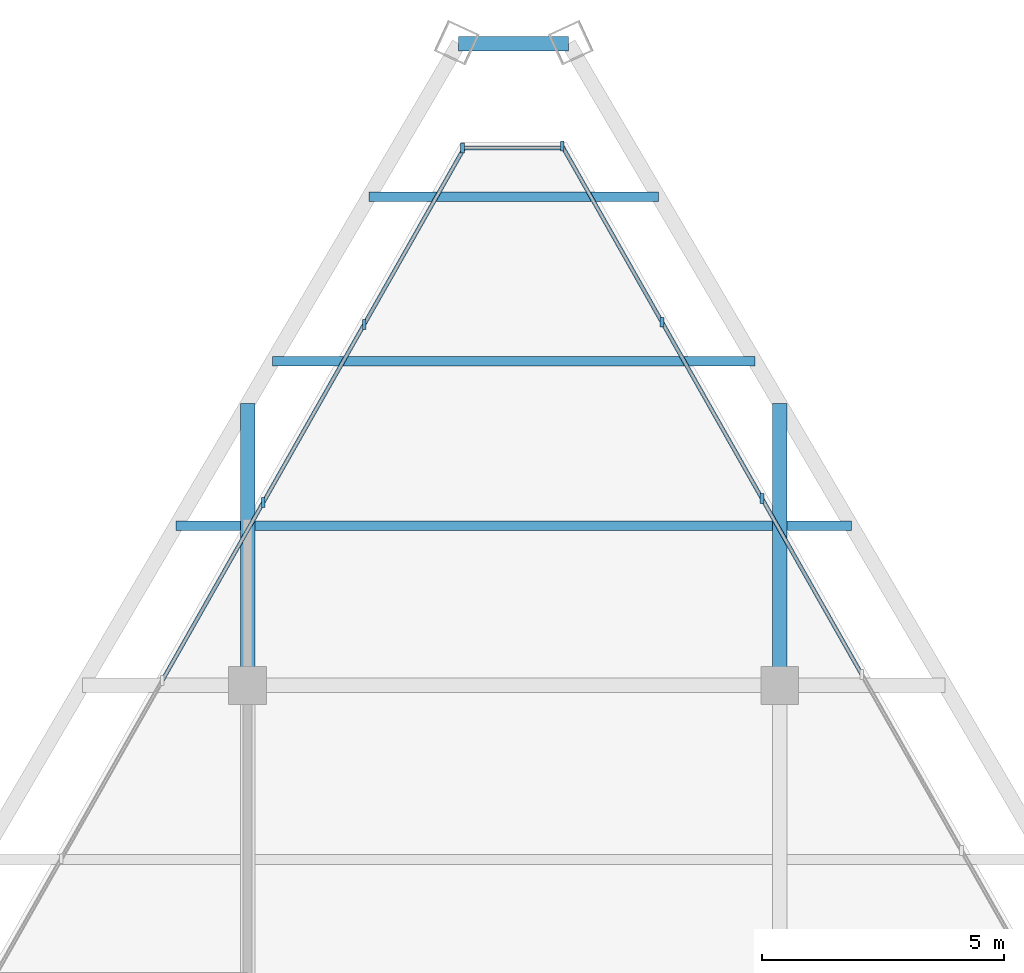
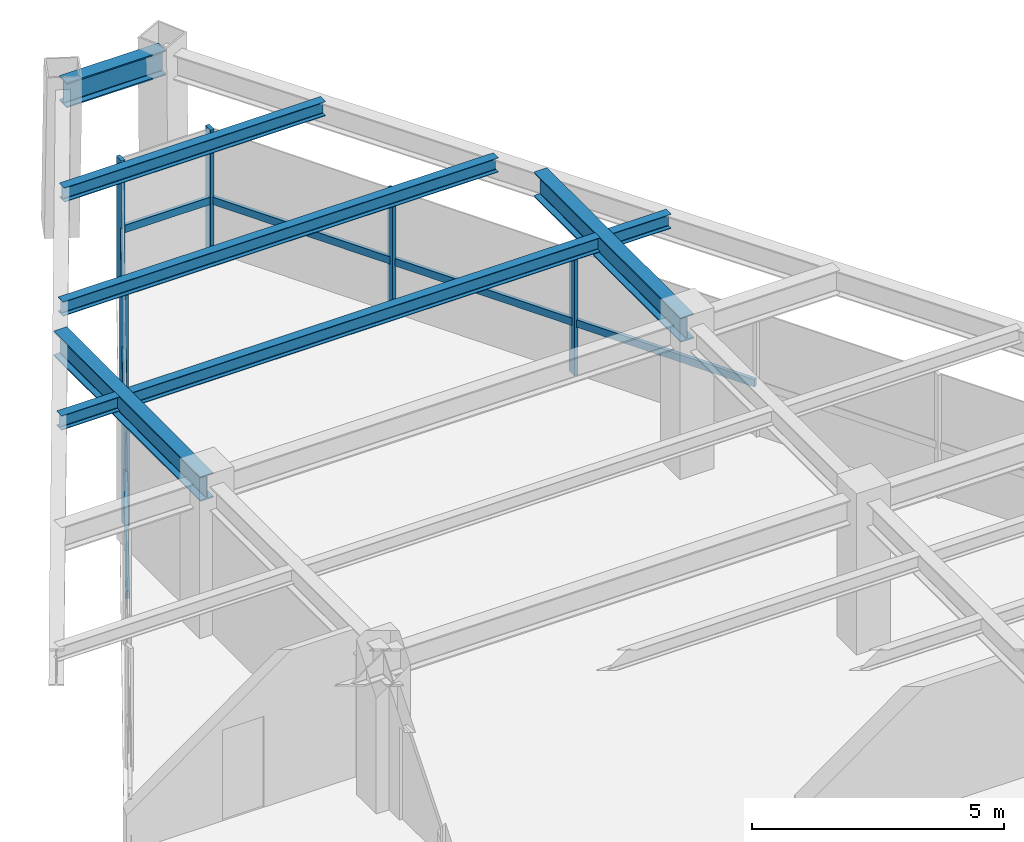
# One storey, part 8 of 12: 13 members, 8 beams, 3 elements without a shape of their own.
"""IFC4 building model written with IfcOpenShell, lengths in metres."""

from ifc_helpers import new_model, si_unit, direction, frame, origin, origin_2d, place, context, subcontext, project, spatial, rectangle, i_section, extrude, source, transform, mapped, material, material_profile, profile_set, type_object, type_shapes, element, aggregate, save


model = new_model("IFC4")

# Units and contexts
model_context = context("Model", 3, precision=1e-05, world=origin(), true_north=direction((0.0, 1.0)))
body_context = subcontext(model_context, "Body", "Model", "MODEL_VIEW")
ifc_project = project(units=[si_unit("LENGTHUNIT", "METRE"), si_unit("AREAUNIT", "SQUARE_METRE"), si_unit("VOLUMEUNIT", "CUBIC_METRE"), si_unit("PLANEANGLEUNIT", "RADIAN"), si_unit("MASSUNIT", "GRAM", prefix="KILO")], contexts=[model_context])

# Site, building, storey
site_placement = place(None, origin())
site = spatial("IfcSite", under=ifc_project, at=site_placement, CompositionType="ELEMENT")
building_placement = place(site_placement, origin())
building = spatial("IfcBuilding", under=site, at=building_placement, Name="Varnakhor Terracotta Tower", CompositionType="ELEMENT")
storey_placement = place(building_placement, frame((0.0, 0.0, 313.60009765625)))
storey = spatial("IfcBuildingStorey", under=building, at=storey_placement, Name="L82 Crown", CompositionType="ELEMENT", Elevation=313.60009765625)

# Beams
ifc_material_1 = material(Name="Steel S355", Category="steel")
ifc_material_profile_1 = material_profile(ifc_material_1, i_section(OverallWidth=0.202880859375, OverallDepth=0.346923828125, WebThickness=0.0078125, FlangeThickness=0.013427734375, FilletRadius=0.01806640625, at=origin_2d()), Name="W14X43")
ifc_profile_set_1 = profile_set([ifc_material_profile_1], Name="Steel S355")
beam_type_1 = type_object("IfcBeamType", Name="JST-W14X43", PredefinedType="JOIST", material=ifc_profile_set_1)
shared_shape_1 = source(origin(), body_context, "Body", "SweptSolid", [
    extrude(i_section(OverallWidth=0.202880859375, OverallDepth=0.346923828125, WebThickness=0.0078125, FlangeThickness=0.013427734375, FilletRadius=0.01806640625, at=origin_2d()), origin(), (0.0, 0.0, 1.0), 10.7080078125),
])
beam_1_placement = place(storey_placement, frame((-5.35400390625, 34.800048828125, 3.426513671875), z_axis=(1.0, 0.0, 0.0), x_axis=(0.0, 1.0, 0.0)))
element("IfcBeam", 1, at=beam_1_placement, inside=storey, type_object=beam_type_1, Name="L82 Crown Composite Floor Joist 7-2", PredefinedType="JOIST", context=body_context, shape_type="MappedRepresentation", body=[
    mapped(shared_shape_1, transform((0.0, 0.0, 0.0), scale=1.0)),
])
ifc_material_profile_2 = material_profile(ifc_material_1, i_section(OverallWidth=0.300048828125, OverallDepth=0.60009765625, WebThickness=0.015380859375, FlangeThickness=0.030029296875, FilletRadius=0.01806640625, at=origin_2d()), Name="HEB600")
ifc_profile_set_2 = profile_set([ifc_material_profile_2], Name="Steel S355")
beam_type_2 = type_object("IfcBeamType", Name="BM-HEB600", PredefinedType="BEAM", material=ifc_profile_set_2)
shared_shape_2 = source(origin(), body_context, "Body", "SweptSolid", [
    extrude(i_section(OverallWidth=0.300048828125, OverallDepth=0.60009765625, WebThickness=0.015380859375, FlangeThickness=0.030029296875, FilletRadius=0.01806640625, at=origin_2d()), origin(), (0.0, 0.0, 1.0), 2.27294921875),
])
beam_2_placement = place(storey_placement, frame((1.136474609375, 44.7646484375, 3.2998046875), z_axis=(-1.0, 0.0, 0.0), x_axis=(0.0, -1.0, 0.0)))
element("IfcBeam", 2, at=beam_2_placement, inside=storey, type_object=beam_type_2, Name="L82 Crown Perimeter Spandrel 5", PredefinedType="BEAM", context=body_context, shape_type="MappedRepresentation", body=[
    mapped(shared_shape_2, transform((0.0, 0.0, 0.0), scale=1.0)),
])
shared_shape_3 = source(origin(), body_context, "Body", "SweptSolid", [
    extrude(i_section(OverallWidth=0.300048828125, OverallDepth=0.60009765625, WebThickness=0.015380859375, FlangeThickness=0.030029296875, FilletRadius=0.01806640625, at=origin_2d()), origin(), (0.0, 0.0, 1.0), 5.822998046875),
])
for number, where, z_axis, x_axis, name in (
    (3, (-5.5, 31.5, 3.2998046875), (0.0, 1.0, 0.0), (-1.0, 0.0, 0.0), "L82 Crown Primary Girder NS3-W"),
    (4, (5.5, 31.5, 3.2998046875), (0.0, 1.0, 0.0), (-1.0, 0.0, 0.0), "L82 Crown Primary Girder NS3-E"),
):
    element("IfcBeam", number, at=place(storey_placement, frame(where, z_axis=z_axis, x_axis=x_axis)), inside=storey, type_object=beam_type_2, Name=name, PredefinedType="BEAM", context=body_context, shape_type="MappedRepresentation", body=[
        mapped(shared_shape_3, transform((0.0, 0.0, 0.0), scale=1.0)),
    ])
shared_shape_4 = source(origin(), body_context, "Body", "SweptSolid", [
    extrude(i_section(OverallWidth=0.202880859375, OverallDepth=0.346923828125, WebThickness=0.0078125, FlangeThickness=0.013427734375, FilletRadius=0.01806640625, at=origin_2d()), origin(), (0.0, 0.0, 1.0), 1.33349609375),
])
for number, where, z_axis, x_axis, name in (
    (5, (-6.9794921875, 34.800048828125, 3.426513671875), (1.0, 0.0, 0.0), (0.0, 1.0, 0.0), "L82 Crown Composite Floor Joist 7-1"),
    (6, (5.64599609375, 34.800048828125, 3.426513671875), (1.0, 0.0, 0.0), (0.0, 1.0, 0.0), "L82 Crown Composite Floor Joist 7-3"),
):
    element("IfcBeam", number, at=place(storey_placement, frame(where, z_axis=z_axis, x_axis=x_axis)), inside=storey, type_object=beam_type_1, Name=name, PredefinedType="JOIST", context=body_context, shape_type="MappedRepresentation", body=[
        mapped(shared_shape_4, transform((0.0, 0.0, 0.0), scale=1.0)),
    ])
shared_shape_5 = source(origin(), body_context, "Body", "SweptSolid", [
    extrude(i_section(OverallWidth=0.202880859375, OverallDepth=0.346923828125, WebThickness=0.0078125, FlangeThickness=0.013427734375, FilletRadius=0.01806640625, at=origin_2d()), origin(), (0.0, 0.0, 1.0), 9.971435546875),
])
beam_3_placement = place(storey_placement, frame((-4.985595703125, 38.199951171875, 3.426513671875), z_axis=(1.0, 0.0, 0.0), x_axis=(0.0, 1.0, 0.0)))
element("IfcBeam", 7, at=beam_3_placement, inside=storey, type_object=beam_type_1, Name="L82 Crown Composite Floor Joist 8-1", PredefinedType="JOIST", context=body_context, shape_type="MappedRepresentation", body=[
    mapped(shared_shape_5, transform((0.0, 0.0, 0.0), scale=1.0)),
])
shared_shape_6 = source(origin(), body_context, "Body", "SweptSolid", [
    extrude(i_section(OverallWidth=0.202880859375, OverallDepth=0.346923828125, WebThickness=0.0078125, FlangeThickness=0.013427734375, FilletRadius=0.01806640625, at=origin_2d()), origin(), (0.0, 0.0, 1.0), 5.984375),
])
beam_4_placement = place(storey_placement, frame((-2.9921875, 41.60009765625, 3.426513671875), z_axis=(1.0, 0.0, 0.0), x_axis=(0.0, 1.0, 0.0)))
element("IfcBeam", 8, at=beam_4_placement, inside=storey, type_object=beam_type_1, Name="L82 Crown Composite Floor Joist 9-1", PredefinedType="JOIST", context=body_context, shape_type="MappedRepresentation", body=[
    mapped(shared_shape_6, transform((0.0, 0.0, 0.0), scale=1.0)),
])

# Curtain wall, members
ifc_material_2 = material(Name="Anodised Aluminium Curtain Wall System", Category="aluminium")
curtain_wall_type = type_object("IfcCurtainWallType", Name="CW-SYS-CROWN", PredefinedType="NOTDEFINED", material=ifc_material_2)
curtain_wall_1_placement = place(storey_placement, origin())
curtain_wall_1 = element("IfcCurtainWall", 9, at=curtain_wall_1_placement, inside=storey, type_object=curtain_wall_type, Name="L82 Crown Facet Curtain Wall 1", PredefinedType="NOTDEFINED")
ifc_material_3 = material(Name="Anodised Aluminium 6063-T6", Category="aluminium")
ifc_material_profile_3 = material_profile(ifc_material_3, rectangle(XDim=0.080078125, YDim=0.205078125, at=origin_2d()), Name="ALU MULLION 80x205")
ifc_profile_set_3 = profile_set([ifc_material_profile_3], Name="Anodised Aluminium 6063-T6")
member_type_1 = type_object("IfcMemberType", Name="CWM-06", PredefinedType="MULLION", material=ifc_profile_set_3)
shared_shape_7 = source(origin(), body_context, "Body", "SweptSolid", [
    extrude(rectangle(XDim=0.080078125, YDim=0.205078125, at=origin_2d()), origin(), (0.0, 0.0, 1.0), 2.97998046875),
])
type_shapes(member_type_1, [shared_shape_7])
member_1_placement = place(storey_placement, frame((-5.176513671875, 35.281005859375, 0.0), z_axis=(0.0, 0.0, 1.0), x_axis=(1.0, 0.0, 0.0)))
member_1 = element("IfcMember", 10, at=member_1_placement, type_object=member_type_1, Name="L82 Crown Facet Curtain Wall 1 Mullion 10", PredefinedType="MULLION", context=body_context, shape_type="MappedRepresentation", body=[
    mapped(shared_shape_7, transform((0.0, 0.0, 0.0), scale=1.0)),
])
member_2_placement = place(storey_placement, frame((-3.08935546875, 38.963134765625, 0.0), z_axis=(0.0, 0.0, 1.0), x_axis=(1.0, 0.0, 0.0)))
member_2 = element("IfcMember", 11, at=member_2_placement, type_object=member_type_1, Name="L82 Crown Facet Curtain Wall 1 Mullion 11", PredefinedType="MULLION", context=body_context, shape_type="MappedRepresentation", body=[
    mapped(shared_shape_7, transform((0.0, 0.0, 0.0), scale=1.0)),
])

# Curtain wall, member
curtain_wall_2_placement = place(storey_placement, origin())
curtain_wall_2 = element("IfcCurtainWall", 12, at=curtain_wall_2_placement, inside=storey, type_object=curtain_wall_type, Name="L82 Crown Facet Curtain Wall 2", PredefinedType="NOTDEFINED")
member_3_placement = place(storey_placement, frame((-1.0615234375, 42.6103515625, 0.0), z_axis=(0.0, 0.0, 1.0), x_axis=(1.0, 0.0, 0.0)))
member_3 = element("IfcMember", 13, at=member_3_placement, type_object=member_type_1, Name="L82 Crown Facet Curtain Wall 2 Mullion 1", PredefinedType="MULLION", context=body_context, shape_type="MappedRepresentation", body=[
    mapped(shared_shape_7, transform((0.0, 0.0, 0.0), scale=1.0)),
])

# Curtain wall, members
curtain_wall_3_placement = place(storey_placement, origin())
curtain_wall_3 = element("IfcCurtainWall", 14, at=curtain_wall_3_placement, inside=storey, type_object=curtain_wall_type, Name="L82 Crown Facet Curtain Wall 3", PredefinedType="NOTDEFINED")
member_4_placement = place(storey_placement, frame((1.001953125, 42.64501953125, 0.0), z_axis=(0.0, 0.0, 1.0), x_axis=(1.0, 0.0, 0.0)))
member_4 = element("IfcMember", 15, at=member_4_placement, type_object=member_type_1, Name="L82 Crown Facet Curtain Wall 3 Mullion 1", PredefinedType="MULLION", context=body_context, shape_type="MappedRepresentation", body=[
    mapped(shared_shape_7, transform((0.0, 0.0, 0.0), scale=1.0)),
])
member_5_placement = place(storey_placement, frame((3.0654296875, 39.00537109375, 0.0), z_axis=(0.0, 0.0, 1.0), x_axis=(1.0, 0.0, 0.0)))
member_5 = element("IfcMember", 16, at=member_5_placement, type_object=member_type_1, Name="L82 Crown Facet Curtain Wall 3 Mullion 2", PredefinedType="MULLION", context=body_context, shape_type="MappedRepresentation", body=[
    mapped(shared_shape_7, transform((0.0, 0.0, 0.0), scale=1.0)),
])
member_6_placement = place(storey_placement, frame((5.128662109375, 35.365478515625, 0.0), z_axis=(0.0, 0.0, 1.0), x_axis=(1.0, 0.0, 0.0)))
member_6 = element("IfcMember", 17, at=member_6_placement, type_object=member_type_1, Name="L82 Crown Facet Curtain Wall 3 Mullion 3", PredefinedType="MULLION", context=body_context, shape_type="MappedRepresentation", body=[
    mapped(shared_shape_7, transform((0.0, 0.0, 0.0), scale=1.0)),
])

# Member
ifc_material_profile_4 = material_profile(ifc_material_3, rectangle(XDim=0.080078125, YDim=0.179931640625, at=origin_2d()), Name="ALU TRANSOM 80x180")
ifc_profile_set_4 = profile_set([ifc_material_profile_4], Name="Anodised Aluminium 6063-T6")
member_type_2 = type_object("IfcMemberType", Name="CWT-06", PredefinedType="USERDEFINED", material=ifc_profile_set_4)
shared_shape_8 = source(origin(), body_context, "Body", "SweptSolid", [
    extrude(rectangle(XDim=0.080078125, YDim=0.179931640625, at=origin_2d()), origin(), (0.0, 0.0, 1.0), 4.232421875),
])
member_7_placement = place(storey_placement, frame((-7.263916015625, 31.59912109375, 1.25146484375), z_axis=(0.493191578451, 0.869920724517, 0.0), x_axis=(-0.869920724517, 0.493191578451, 0.0)))
member_7 = element("IfcMember", 18, at=member_7_placement, type_object=member_type_2, Name="L82 Crown Facet Curtain Wall 1 Transom 9", ObjectType="TRANSOM", PredefinedType="USERDEFINED", context=body_context, shape_type="MappedRepresentation", body=[
    mapped(shared_shape_8, transform((0.0, 0.0, 0.0), scale=1.0)),
])

member_8_placement = place(storey_placement, frame((-5.176513671875, 35.281005859375, 1.25146484375), z_axis=(0.493123177665, 0.869959500005, 0.0), x_axis=(-0.869959500005, 0.493123177665, 0.0)))
member_8 = element("IfcMember", 19, at=member_8_placement, type_object=member_type_2, Name="L82 Crown Facet Curtain Wall 1 Transom 10", ObjectType="TRANSOM", PredefinedType="USERDEFINED", context=body_context, shape_type="MappedRepresentation", body=[
    mapped(shared_shape_8, transform((0.0, 0.0, 0.0), scale=1.0)),
])

member_9_placement = place(storey_placement, frame((-3.08935546875, 38.963134765625, 1.25146484375), z_axis=(0.493191578451, 0.869920724517, 0.0), x_axis=(-0.869920724517, 0.493191578451, 0.0)))
member_9 = element("IfcMember", 20, at=member_9_placement, type_object=member_type_2, Name="L82 Crown Facet Curtain Wall 1 Transom 11", ObjectType="TRANSOM", PredefinedType="USERDEFINED", context=body_context, shape_type="MappedRepresentation", body=[
    mapped(shared_shape_8, transform((0.0, 0.0, 0.0), scale=1.0)),
])

aggregate(curtain_wall_1, [member_7, member_1, member_8, member_2, member_9])

shared_shape_9 = source(origin(), body_context, "Body", "SweptSolid", [
    extrude(rectangle(XDim=0.080078125, YDim=0.179931640625, at=origin_2d()), origin(), (0.0, 0.0, 1.0), 2.123046875),
])
member_10_placement = place(storey_placement, frame((-1.0615234375, 42.6103515625, 1.25146484375), z_axis=(1.0, 0.0, 0.0), x_axis=(0.0, 1.0, 0.0)))
member_10 = element("IfcMember", 21, at=member_10_placement, type_object=member_type_2, Name="L82 Crown Facet Curtain Wall 2 Transom 1", ObjectType="TRANSOM", PredefinedType="USERDEFINED", context=body_context, shape_type="MappedRepresentation", body=[
    mapped(shared_shape_9, transform((0.0, 0.0, 0.0), scale=1.0)),
])

aggregate(curtain_wall_2, [member_3, member_10])

shared_shape_10 = source(origin(), body_context, "Body", "SweptSolid", [
    extrude(rectangle(XDim=0.080078125, YDim=0.179931640625, at=origin_2d()), origin(), (0.0, 0.0, 1.0), 4.183837890625),
])
member_11_placement = place(storey_placement, frame((1.001953125, 42.64501953125, 1.25146484375), z_axis=(0.493195127326, -0.869918712514, 0.0), x_axis=(0.869918712514, 0.493195127326, 0.0)))
member_11 = element("IfcMember", 22, at=member_11_placement, type_object=member_type_2, Name="L82 Crown Facet Curtain Wall 3 Transom 1", ObjectType="TRANSOM", PredefinedType="USERDEFINED", context=body_context, shape_type="MappedRepresentation", body=[
    mapped(shared_shape_10, transform((0.0, 0.0, 0.0), scale=1.0)),
])

member_12_placement = place(storey_placement, frame((5.128662109375, 35.365478515625, 1.25146484375), z_axis=(0.493195127326, -0.869918712514, 0.0), x_axis=(0.869918712514, 0.493195127326, 0.0)))
member_12 = element("IfcMember", 23, at=member_12_placement, type_object=member_type_2, Name="L82 Crown Facet Curtain Wall 3 Transom 3", ObjectType="TRANSOM", PredefinedType="USERDEFINED", context=body_context, shape_type="MappedRepresentation", body=[
    mapped(shared_shape_10, transform((0.0, 0.0, 0.0), scale=1.0)),
])

shared_shape_11 = source(origin(), body_context, "Body", "SweptSolid", [
    extrude(rectangle(XDim=0.080078125, YDim=0.179931640625, at=origin_2d()), origin(), (0.0, 0.0, 1.0), 4.18408203125),
])
member_13_placement = place(storey_placement, frame((3.0654296875, 39.00537109375, 1.25146484375), z_axis=(0.493125933024, -0.869957938167, 0.0), x_axis=(0.869957938167, 0.493125933024, 0.0)))
member_13 = element("IfcMember", 24, at=member_13_placement, type_object=member_type_2, Name="L82 Crown Facet Curtain Wall 3 Transom 2", ObjectType="TRANSOM", PredefinedType="USERDEFINED", context=body_context, shape_type="MappedRepresentation", body=[
    mapped(shared_shape_11, transform((0.0, 0.0, 0.0), scale=1.0)),
])

aggregate(curtain_wall_3, [member_4, member_11, member_5, member_13, member_6, member_12])

save(model, "model.ifc")
